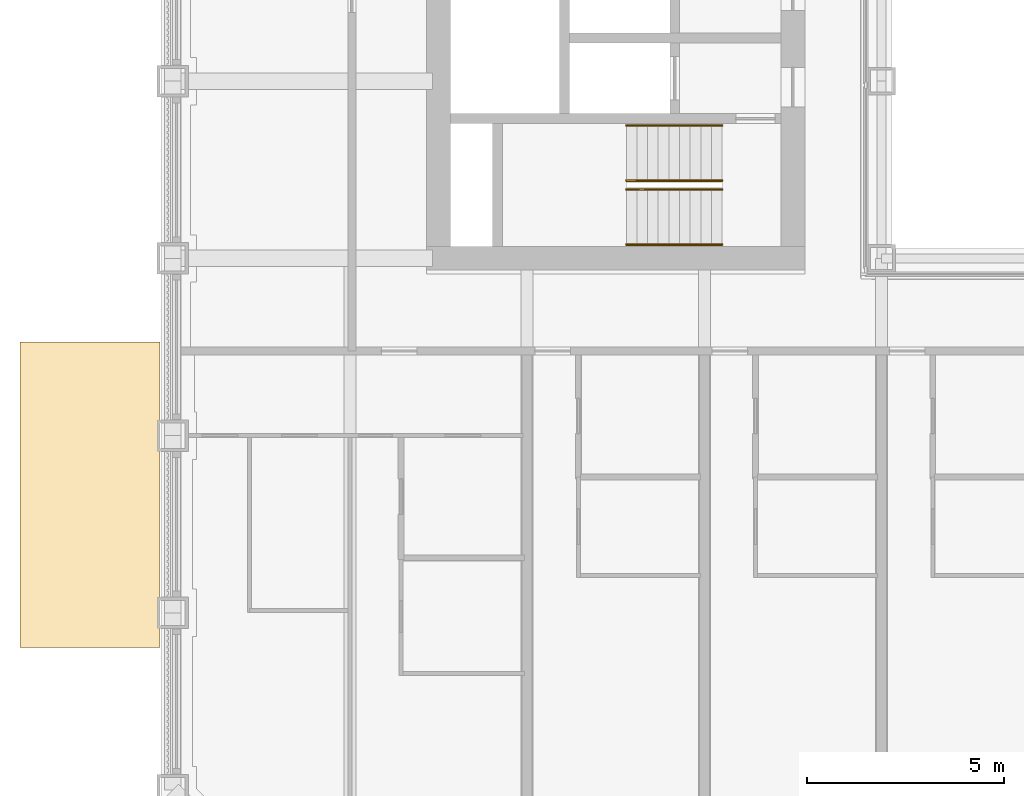
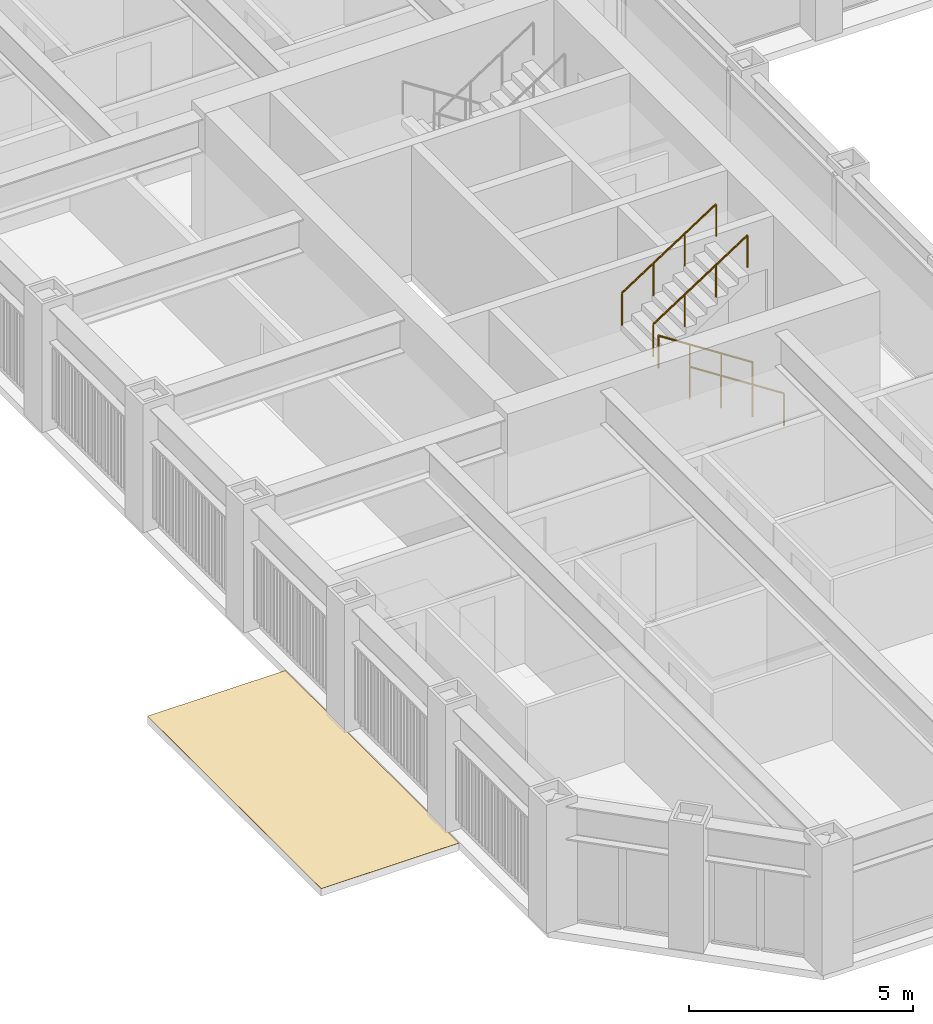
# One storey, part 20 of 24: 4 railings, 1 covering.
"""IFC4 building model written with IfcOpenShell, lengths in metres."""

import ifcopenshell
import ifcopenshell.guid

model = None  # the IFC model being written
_history = None  # IfcOwnerHistory: only IFC2X3 demands one
_inside = {}  # id of a spatial element -> (the spatial element, [elements in it])
_under = {}  # id of a project, library or spatial element -> (it, [spatial elements below it])
_declared = {}  # id of a project -> (the project, [libraries it declares])
_typed = {}  # id of a type object -> (the type object, [elements of that type])
_made_of = {}  # id of a material, layer set ... -> (it, [elements and type objects made of it])


def new_model(schema):
    """Start an empty IFC model of exactly this schema.

    Asked for "IFC4X3", IfcOpenShell would pick the latest addendum, in which some entities
    have other attributes; the version numbers below select the first issue.
    IFC2X3 requires an IfcOwnerHistory on every rooted entity: one is made here for all.
    """
    global model, _history
    if schema == "IFC4X3":
        model = ifcopenshell.file(schema_version=(4, 3, 0, 0))
    else:
        model = ifcopenshell.file(schema=schema)
    _inside.clear()
    _under.clear()
    _declared.clear()
    _typed.clear()
    _made_of.clear()
    _history = None
    if model.schema == "IFC2X3":
        org = make("IfcOrganization", Name="unknown")
        user = make(
            "IfcPersonAndOrganization",
            ThePerson=make("IfcPerson", FamilyName="unknown"),
            TheOrganization=org,
        )
        app = make(
            "IfcApplication",
            ApplicationDeveloper=org,
            Version="unknown",
            ApplicationFullName="unknown",
            ApplicationIdentifier="unknown",
        )
        _history = make(
            "IfcOwnerHistory",
            OwningUser=user,
            OwningApplication=app,
            ChangeAction="ADDED",
            CreationDate=0,
        )
    return model


def make(cls, **values):
    """One entity of the class cls with the attributes given. An attribute that is None is left unset."""
    return model.create_entity(
        cls, **{name: value for name, value in values.items() if value is not None}
    )


def rooted(cls, **values):
    """An entity with a GlobalId (a new one), such as an element, a storey or a relation."""
    return make(cls, GlobalId=ifcopenshell.guid.new(), OwnerHistory=_history, **values)


def si_unit(unit_type, name, prefix=None):
    """IfcSIUnit, for example si_unit("LENGTHUNIT", "METRE", prefix="MILLI")."""
    return make("IfcSIUnit", UnitType=unit_type, Prefix=prefix, Name=name)


def assignment(units):
    """IfcUnitAssignment: the units of a project."""
    return None if units is None else make("IfcUnitAssignment", Units=units)


def point(xyz):
    """IfcCartesianPoint."""
    return None if xyz is None else make("IfcCartesianPoint", Coordinates=xyz)


def direction(xyz):
    """IfcDirection."""
    return None if xyz is None else make("IfcDirection", DirectionRatios=xyz)


def frame(location, z_axis=None, x_axis=None):
    """IfcAxis2Placement3D, a coordinate frame: its origin and axes. An axis left out is left unset."""
    return make(
        "IfcAxis2Placement3D",
        Location=point(location),
        Axis=direction(z_axis),
        RefDirection=direction(x_axis),
    )


def frame_2d(location, x_axis=None):
    """IfcAxis2Placement2D, a coordinate frame in the plane: its origin and x axis."""
    return make(
        "IfcAxis2Placement2D", Location=point(location), RefDirection=direction(x_axis)
    )


def origin():
    """The frame at (0, 0, 0) with its axes left unset."""
    return frame((0.0, 0.0, 0.0))


def origin_2d():
    """The frame at (0, 0) in the plane with its x axis left unset."""
    return frame_2d((0.0, 0.0))


def place(relative_to, where):
    """IfcLocalPlacement: puts the frame where relative to a parent placement (None: the world)."""
    return make(
        "IfcLocalPlacement", PlacementRelTo=relative_to, RelativePlacement=where
    )


def context(
    kind, dimensions, precision=None, world=None, true_north=None, identifier=None
):
    """IfcGeometricRepresentationContext, for example the 3D "Model" context."""
    return make(
        "IfcGeometricRepresentationContext",
        ContextIdentifier=identifier,
        ContextType=kind,
        CoordinateSpaceDimension=dimensions,
        Precision=precision,
        WorldCoordinateSystem=world,
        TrueNorth=true_north,
    )


def subcontext(parent, identifier, kind, view, scale=None):
    """IfcGeometricRepresentationSubContext, for example "Body" below "Model"."""
    return make(
        "IfcGeometricRepresentationSubContext",
        ContextIdentifier=identifier,
        ContextType=kind,
        ParentContext=parent,
        TargetScale=scale,
        TargetView=view,
    )


def project(units=None, contexts=None):
    """IfcProject with its units and contexts."""
    return rooted(
        "IfcProject",
        Name="project",
        RepresentationContexts=contexts,
        UnitsInContext=assignment(units),
    )


def spatial(cls, under=None, at=None, **own):
    """A site, building, storey or space (cls), placed at a placement, below another one or the project."""
    s = rooted(cls, ObjectPlacement=at, **own)
    if under is not None:
        _under.setdefault(under.id(), (under, []))[1].append(s)
    return s


def point_list(points):
    """IfcCartesianPointList2D or 3D."""
    cls = (
        "IfcCartesianPointList2D" if len(points[0]) == 2 else "IfcCartesianPointList3D"
    )
    return make(cls, CoordList=points)


def line(*indices):
    """IfcLineIndex: a straight run through numbered points of an indexed curve."""
    return model.create_entity("IfcLineIndex", indices)


def indexed_curve(points, segments=None, self_intersect=None):
    """IfcIndexedPolyCurve: lines and arcs through numbered points (the first is 1)."""
    return make(
        "IfcIndexedPolyCurve",
        Points=point_list(points),
        Segments=segments,
        SelfIntersect=self_intersect,
    )


def profile(cls, at=None, kind="AREA", **sizes):
    """A parametric profile (cls). Its sizes go by their IFC names, for example OverallWidth=200.0."""
    return make(cls, ProfileType=kind, Position=at, **sizes)


def circle(**sizes):
    """IfcCircleProfileDef."""
    return profile("IfcCircleProfileDef", **sizes)


def outline(outer, holes=None, kind="AREA"):
    """IfcArbitraryClosedProfileDef: a profile drawn as a closed curve; with holes, ...WithVoids."""
    if holes is None:
        return make("IfcArbitraryClosedProfileDef", ProfileType=kind, OuterCurve=outer)
    return make(
        "IfcArbitraryProfileDefWithVoids",
        ProfileType=kind,
        OuterCurve=outer,
        InnerCurves=holes,
    )


def extrude(swept, where, along, depth):
    """IfcExtrudedAreaSolid: the profile swept, set in the frame where, extruded along a direction by depth."""
    return make(
        "IfcExtrudedAreaSolid",
        SweptArea=swept,
        Position=where,
        ExtrudedDirection=direction(along),
        Depth=depth,
    )


def shape(context_of_items, identifier, shape_type, items):
    """IfcShapeRepresentation: the items that make up one representation, for example the "Body"."""
    return make(
        "IfcShapeRepresentation",
        ContextOfItems=context_of_items,
        RepresentationIdentifier=identifier,
        RepresentationType=shape_type,
        Items=items,
    )


def material(Name=None, Category=None):
    """IfcMaterial."""
    return make("IfcMaterial", Name=Name, Category=Category)


def layer(
    of_material, thickness, ventilated=None, Name=None, Category=None, Priority=None
):
    """IfcMaterialLayer: one layer of a wall or slab, of a material (None: an air gap)."""
    return make(
        "IfcMaterialLayer",
        Material=of_material,
        LayerThickness=thickness,
        IsVentilated=ventilated,
        Name=Name,
        Category=Category,
        Priority=Priority,
    )


def layer_set(layers, Name=None):
    """IfcMaterialLayerSet."""
    return make("IfcMaterialLayerSet", MaterialLayers=layers, LayerSetName=Name)


def made_of(thing, what):
    """Note that an element or type object is made of a material, layer set ...; save() writes the relation."""
    if what is not None:
        _made_of.setdefault(what.id(), (what, []))[1].append(thing)
    return thing


def type_object(cls, material=None, **own):
    """A type object (cls), such as IfcWallType, which elements share."""
    return made_of(rooted(cls, **own), material)


def element(
    cls,
    number,
    at=None,
    inside=None,
    cuts=None,
    type_object=None,
    material=None,
    context=None,
    identifier="Body",
    shape_type=None,
    held_by="IfcProductDefinitionShape",
    body=None,
    shapes=None,
    **own,
):
    """One element of the class cls, such as IfcWall. Its Tag is "e" and its number.

    at: its placement. inside: the storey or other place that contains it. cuts: it is an
    opening in that element (IfcRelVoidsElement). A single representation is given by context,
    identifier, shape_type and body (its items); several are given by shapes. held_by: the class
    of the entity that holds the representations. save() writes the other relations.
    """
    e = rooted(cls, Tag="e%d" % number, ObjectPlacement=at, **own)
    if body is not None:
        shapes = [shape(context, identifier, shape_type, body)]
    if shapes is not None:
        e.Representation = make(held_by, Representations=shapes)
    if inside is not None:
        _inside.setdefault(inside.id(), (inside, []))[1].append(e)
    if cuts is not None:
        rooted(
            "IfcRelVoidsElement", RelatingBuildingElement=cuts, RelatedOpeningElement=e
        )
    if type_object is not None:
        _typed.setdefault(type_object.id(), (type_object, []))[1].append(e)
    return made_of(e, material)


def aggregate(whole, parts):
    """IfcRelAggregates: a whole, such as a stair, and the parts it consists of."""
    return rooted("IfcRelAggregates", RelatingObject=whole, RelatedObjects=parts)


def save(model, path):
    """Write the relations noted so far, then the file.

    IfcRelAggregates (storeys below a building ...), IfcRelContainedInSpatialStructure (elements
    in a storey), IfcRelDefinesByType, IfcRelAssociatesMaterial and IfcRelDeclares: one each for
    every whole, place, type object, material and project.
    """
    for whole, parts in _under.values():
        aggregate(whole, parts)
    for where, things in _inside.values():
        rooted(
            "IfcRelContainedInSpatialStructure",
            RelatedElements=things,
            RelatingStructure=where,
        )
    for kind, things in _typed.values():
        rooted("IfcRelDefinesByType", RelatedObjects=things, RelatingType=kind)
    for what, things in _made_of.values():
        rooted("IfcRelAssociatesMaterial", RelatedObjects=things, RelatingMaterial=what)
    for by, libraries in _declared.values():
        rooted("IfcRelDeclares", RelatingContext=by, RelatedDefinitions=libraries)
    model.write(path)


model = new_model("IFC4")

# Units and contexts
model_context = context("Model", 3, precision=1e-05, world=origin(), true_north=direction((0.0, 1.0)))
body_context = subcontext(model_context, "Body", "Model", "MODEL_VIEW")
ifc_project = project(units=[si_unit("LENGTHUNIT", "METRE"), si_unit("AREAUNIT", "SQUARE_METRE"), si_unit("VOLUMEUNIT", "CUBIC_METRE"), si_unit("PLANEANGLEUNIT", "RADIAN"), si_unit("MASSUNIT", "GRAM", prefix="KILO")], contexts=[model_context])

# Site, building, storey
site_placement = place(None, origin())
site = spatial("IfcSite", under=ifc_project, at=site_placement, CompositionType="ELEMENT")
building_placement = place(site_placement, origin())
building = spatial("IfcBuilding", under=site, at=building_placement, Name="Msasa Ring Tower", CompositionType="ELEMENT")
storey_placement = place(building_placement, frame((0.0, 0.0, 26.5)))
storey = spatial("IfcBuildingStorey", under=building, at=storey_placement, Name="L05", CompositionType="ELEMENT", Elevation=26.5)

# Railings
ifc_material_1 = material(Name="Stainless steel", Category="steel")
railing_type = type_object("IfcRailingType", Name="HR1 HANDRAIL 900", PredefinedType="HANDRAIL", material=ifc_material_1)
for number, where, name in (
    (1, (-10.800048828125, -6.39990234375, 0.175048828125), "Handrail stair SWA L05 1"),
    (2, (-10.800048828125, -5.0, 0.175048828125), "Handrail stair SWA L05 2"),
):
    element("IfcRailing", number, at=place(storey_placement, frame(where)), inside=storey, type_object=railing_type, Name=name, PredefinedType="HANDRAIL", context=body_context, shape_type="SweptSolid", body=[
        extrude(circle(Radius=0.02392578125, at=origin_2d()), frame((0.0, 0.0, 0.8759765625), z_axis=(-0.839153699163, 0.0, 0.543894354798), x_axis=(0.0, -1.0, 0.0)), (0.0, 0.0, 1.0), 2.895751953125),
        extrude(circle(Radius=0.02099609375, at=origin_2d()), origin(), (0.0, 0.0, 1.0), 0.851806640625),
        extrude(circle(Radius=0.02099609375, at=origin_2d()), frame((-0.81005859375, 0.0, 0.52490234375)), (0.0, 0.0, 1.0), 0.851806640625),
        extrude(circle(Radius=0.02099609375, at=origin_2d()), frame((-1.619873046875, 0.0, 1.050048828125)), (0.0, 0.0, 1.0), 0.851806640625),
        extrude(circle(Radius=0.02099609375, at=origin_2d()), frame((-2.429931640625, 0.0, 1.574951171875)), (0.0, 0.0, 1.0), 0.851806640625),
    ])
for number, where, name in (
    (3, (-13.22998046875, -4.77490234375, 1.925048828125), "Handrail stair SWA L05 3"),
    (4, (-13.22998046875, -3.375, 1.925048828125), "Handrail stair SWA L05 4"),
):
    element("IfcRailing", number, at=place(storey_placement, frame(where)), inside=storey, type_object=railing_type, Name=name, PredefinedType="HANDRAIL", context=body_context, shape_type="SweptSolid", body=[
        extrude(circle(Radius=0.02392578125, at=origin_2d()), frame((0.0, 0.0, 0.8759765625), z_axis=(0.839153699163, 0.0, 0.543894354798), x_axis=(0.0, 1.0, 0.0)), (0.0, 0.0, 1.0), 2.895751953125),
        extrude(circle(Radius=0.02099609375, at=origin_2d()), origin(), (0.0, 0.0, 1.0), 0.851806640625),
        extrude(circle(Radius=0.02099609375, at=origin_2d()), frame((0.81005859375, 0.0, 0.52490234375)), (0.0, 0.0, 1.0), 0.851806640625),
        extrude(circle(Radius=0.02099609375, at=origin_2d()), frame((1.619873046875, 0.0, 1.050048828125)), (0.0, 0.0, 1.0), 0.851806640625),
        extrude(circle(Radius=0.02099609375, at=origin_2d()), frame((2.429931640625, 0.0, 1.574951171875)), (0.0, 0.0, 1.0), 0.851806640625),
    ])

# Covering
ifc_material_2 = material(Name="Liquid-applied polyurethane roof membrane", Category="polyurethane")
ifc_layer = layer(ifc_material_2, 0.0048828125)
ifc_layer_set = layer_set([ifc_layer], Name="RF2 LIQUID-APPLIED MEMBRANE ROOF COVERING 5")
covering_type = type_object("IfcCoveringType", Name="RF2 LIQUID-APPLIED MEMBRANE ROOF COVERING 5", PredefinedType="ROOFING", material=ifc_layer_set)
covering_placement = place(storey_placement, origin())
element("IfcCovering", 5, at=covering_placement, inside=storey, type_object=covering_type, Name="Roof covering on stair head-house roof pws", PredefinedType="ROOFING", context=body_context, shape_type="SweptSolid", body=[
    extrude(outline(indexed_curve([(-28.62451171875, -16.62451171875), (-28.62451171875, -8.87548828125), (-25.075439453125, -8.87548828125), (-25.075439453125, -16.62451171875)], segments=[line(1, 2, 3, 4, 1)], self_intersect=False)), origin(), (0.0, 0.0, 1.0), 0.0048828125),
])

save(model, "model.ifc")
